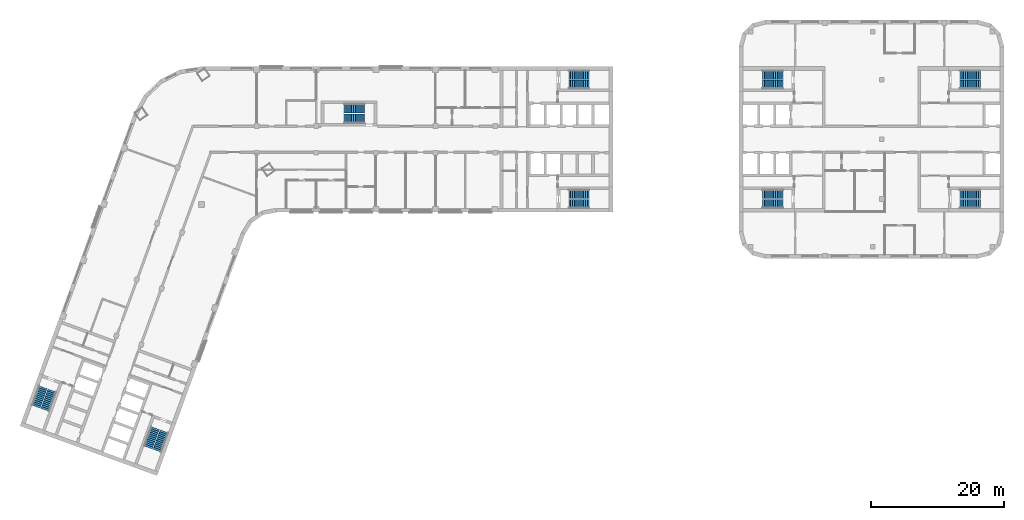
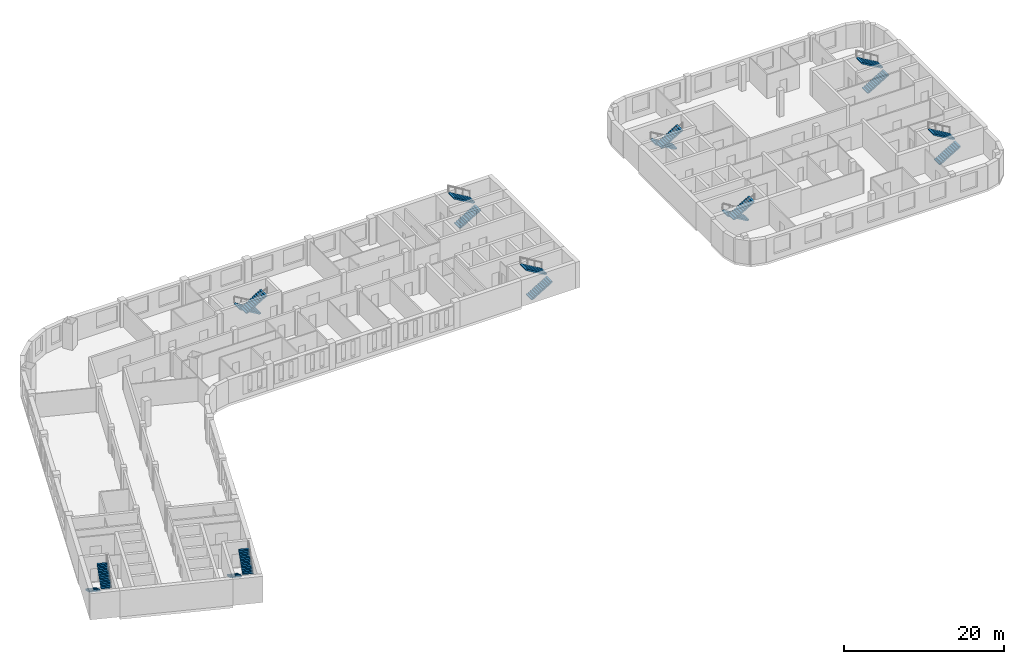
# One storey, part 10 of 12: 18 stair flights, 9 elements without a shape of their own.
"""IFC4 building model written with IfcOpenShell, lengths in metres."""

from ifc_helpers import new_model, si_unit, direction, frame, origin, place, context, subcontext, project, spatial, polyline, outline, extrude, material, type_object, element, aggregate, save


model = new_model("IFC4")

# Units and contexts
model_context = context("Model", 3, precision=1e-05, world=origin(), true_north=direction((0.0, 1.0)))
body_context = subcontext(model_context, "Body", "Model", "MODEL_VIEW")
ifc_project = project(units=[si_unit("LENGTHUNIT", "METRE"), si_unit("AREAUNIT", "SQUARE_METRE"), si_unit("VOLUMEUNIT", "CUBIC_METRE"), si_unit("PLANEANGLEUNIT", "RADIAN"), si_unit("MASSUNIT", "GRAM", prefix="KILO")], contexts=[model_context])

# Site, building, storey
site_placement = place(None, origin())
site = spatial("IfcSite", under=ifc_project, at=site_placement, CompositionType="ELEMENT")
building_placement = place(site_placement, origin())
building = spatial("IfcBuilding", under=site, at=building_placement, Name="Skarvind Civic Tower", CompositionType="ELEMENT")
storey_placement = place(building_placement, frame((0.0, 0.0, 71.5)))
storey = spatial("IfcBuildingStorey", under=building, at=storey_placement, Name="L16", CompositionType="ELEMENT", Elevation=71.5)

# Stair, stair flights
ifc_material = material(Name="Concrete C40/50", Category="concrete")
stair_type_1 = type_object("IfcStairType", Name="Exit stair 1450, half-turn, concrete", PredefinedType="HALF_TURN_STAIR", material=ifc_material)
stair_1_placement = place(storey_placement, origin())
stair_1 = element("IfcStair", 1, at=stair_1_placement, inside=storey, type_object=stair_type_1, Name="Exit stair CM", PredefinedType="HALF_TURN_STAIR")
stair_flight_type_1 = type_object("IfcStairFlightType", Name="Stair flight 1450, concrete", PredefinedType="STRAIGHT", material=ifc_material)
stair_flight_1_placement = place(storey_placement, frame((70.550048828125, 132.675048828125, 0.0), z_axis=(0.0, 0.0, 1.0), x_axis=(-1.0, 0.0, 0.0)))
stair_flight_1 = element("IfcStairFlight", 2, at=stair_flight_1_placement, type_object=stair_flight_type_1, Name="ST-CM flight 1", NumberOfRisers=12, NumberOfTreads=11, PredefinedType="STRAIGHT", RiserHeight=0.166666667, TreadLength=0.28, context=body_context, shape_type="SweptSolid", body=[
    extrude(outline(polyline([(0.0, 0.0), (0.0, 0.166748046875), (0.280029296875, 0.166748046875), (0.280029296875, 0.333251953125), (0.56005859375, 0.333251953125), (0.56005859375, 0.5), (0.840087890625, 0.5), (0.840087890625, 0.666748046875), (1.1201171875, 0.666748046875), (1.1201171875, 0.833251953125), (1.39990234375, 0.833251953125), (1.39990234375, 1.0), (1.679931640625, 1.0), (1.679931640625, 1.166748046875), (1.9599609375, 1.166748046875), (1.9599609375, 1.333251953125), (2.239990234375, 1.333251953125), (2.239990234375, 1.5), (2.52001953125, 1.5), (2.52001953125, 1.666748046875), (2.800048828125, 1.666748046875), (2.800048828125, 1.833251953125), (3.080078125, 1.833251953125), (3.080078125, 2.0), (3.080078125, 1.658935546875), (0.29296875, 0.0), (0.0, 0.0)])), frame((0.0, 0.72509765625, 0.0), z_axis=(0.0, -1.0, 0.0), x_axis=(1.0, 0.0, 0.0)), (0.0, 0.0, 1.0), 1.449951171875),
])
stair_flight_2_placement = place(storey_placement, frame((67.469970703125, 131.125, 2.0), z_axis=(0.0, 0.0, 1.0), x_axis=(1.0, 0.0, 0.0)))
stair_flight_2 = element("IfcStairFlight", 3, at=stair_flight_2_placement, type_object=stair_flight_type_1, Name="ST-CM flight 2", NumberOfRisers=12, NumberOfTreads=11, PredefinedType="STRAIGHT", RiserHeight=0.166666667, TreadLength=0.28, context=body_context, shape_type="SweptSolid", body=[
    extrude(outline(polyline([(0.0, 0.0), (0.0, 0.166748046875), (0.280029296875, 0.166748046875), (0.280029296875, 0.333251953125), (0.56005859375, 0.333251953125), (0.56005859375, 0.5), (0.840087890625, 0.5), (0.840087890625, 0.666748046875), (1.1201171875, 0.666748046875), (1.1201171875, 0.833251953125), (1.39990234375, 0.833251953125), (1.39990234375, 1.0), (1.679931640625, 1.0), (1.679931640625, 1.166748046875), (1.9599609375, 1.166748046875), (1.9599609375, 1.333251953125), (2.239990234375, 1.333251953125), (2.239990234375, 1.5), (2.52001953125, 1.5), (2.52001953125, 1.666748046875), (2.800048828125, 1.666748046875), (2.800048828125, 1.833251953125), (3.080078125, 1.833251953125), (3.080078125, 2.0), (3.080078125, 1.658935546875), (0.29296875, 0.0), (0.0, 0.0)])), frame((0.0, 0.72509765625, 0.0), z_axis=(0.0, -1.0, 0.0), x_axis=(1.0, 0.0, 0.0)), (0.0, 0.0, 1.0), 1.449951171875),
])
aggregate(stair_1, [stair_flight_1, stair_flight_2])

stair_type_2 = type_object("IfcStairType", Name="Exit stair, half-turn, concrete", PredefinedType="HALF_TURN_STAIR", material=ifc_material)
stair_2_placement = place(storey_placement, origin())
stair_2 = element("IfcStair", 4, at=stair_2_placement, inside=storey, type_object=stair_type_2, Name="Exit stair C1S", PredefinedType="HALF_TURN_STAIR")
stair_flight_type_2 = type_object("IfcStairFlightType", Name="Stair flight, concrete", PredefinedType="STRAIGHT", material=ifc_material)
stair_flight_3_placement = place(storey_placement, frame((101.35009765625, 136.27490234375, 0.0), z_axis=(0.0, 0.0, 1.0), x_axis=(1.0, 0.0, 0.0)))
stair_flight_3 = element("IfcStairFlight", 5, at=stair_flight_3_placement, type_object=stair_flight_type_2, Name="ST-C1S flight 1", NumberOfRisers=12, NumberOfTreads=11, PredefinedType="STRAIGHT", RiserHeight=0.166666667, TreadLength=0.28, context=body_context, shape_type="SweptSolid", body=[
    extrude(outline(polyline([(0.0, 0.0), (0.0, 0.166748046875), (0.280029296875, 0.166748046875), (0.280029296875, 0.333251953125), (0.56005859375, 0.333251953125), (0.56005859375, 0.5), (0.840087890625, 0.5), (0.840087890625, 0.666748046875), (1.1201171875, 0.666748046875), (1.1201171875, 0.833251953125), (1.39990234375, 0.833251953125), (1.39990234375, 1.0), (1.679931640625, 1.0), (1.679931640625, 1.166748046875), (1.9599609375, 1.166748046875), (1.9599609375, 1.333251953125), (2.239990234375, 1.333251953125), (2.239990234375, 1.5), (2.52001953125, 1.5), (2.52001953125, 1.666748046875), (2.800048828125, 1.666748046875), (2.800048828125, 1.833251953125), (3.080078125, 1.833251953125), (3.080078125, 2.0), (3.080078125, 1.658935546875), (0.29296875, 0.0), (0.0, 0.0)])), frame((0.0, 0.675048828125, 0.0), z_axis=(0.0, -1.0, 0.0), x_axis=(1.0, 0.0, 0.0)), (0.0, 0.0, 1.0), 1.35009765625),
])
stair_flight_4_placement = place(storey_placement, frame((104.429931640625, 137.72509765625, 2.0), z_axis=(0.0, 0.0, 1.0), x_axis=(-1.0, 0.0, 0.0)))
stair_flight_4 = element("IfcStairFlight", 6, at=stair_flight_4_placement, type_object=stair_flight_type_2, Name="ST-C1S flight 2", NumberOfRisers=12, NumberOfTreads=11, PredefinedType="STRAIGHT", RiserHeight=0.166666667, TreadLength=0.28, context=body_context, shape_type="SweptSolid", body=[
    extrude(outline(polyline([(0.0, 0.0), (0.0, 0.166748046875), (0.280029296875, 0.166748046875), (0.280029296875, 0.333251953125), (0.56005859375, 0.333251953125), (0.56005859375, 0.5), (0.840087890625, 0.5), (0.840087890625, 0.666748046875), (1.1201171875, 0.666748046875), (1.1201171875, 0.833251953125), (1.39990234375, 0.833251953125), (1.39990234375, 1.0), (1.679931640625, 1.0), (1.679931640625, 1.166748046875), (1.9599609375, 1.166748046875), (1.9599609375, 1.333251953125), (2.239990234375, 1.333251953125), (2.239990234375, 1.5), (2.52001953125, 1.5), (2.52001953125, 1.666748046875), (2.800048828125, 1.666748046875), (2.800048828125, 1.833251953125), (3.080078125, 1.833251953125), (3.080078125, 2.0), (3.080078125, 1.658935546875), (0.29296875, 0.0), (0.0, 0.0)])), frame((0.0, 0.675048828125, 0.0), z_axis=(0.0, -1.0, 0.0), x_axis=(1.0, 0.0, 0.0)), (0.0, 0.0, 1.0), 1.35009765625),
])
aggregate(stair_2, [stair_flight_3, stair_flight_4])

stair_3_placement = place(storey_placement, origin())
stair_3 = element("IfcStair", 7, at=stair_3_placement, inside=storey, type_object=stair_type_2, Name="Exit stair C1N", PredefinedType="HALF_TURN_STAIR")
stair_flight_5_placement = place(storey_placement, frame((101.35009765625, 118.27490234375, 0.0), z_axis=(0.0, 0.0, 1.0), x_axis=(1.0, 0.0, 0.0)))
stair_flight_5 = element("IfcStairFlight", 8, at=stair_flight_5_placement, type_object=stair_flight_type_2, Name="ST-C1N flight 1", NumberOfRisers=12, NumberOfTreads=11, PredefinedType="STRAIGHT", RiserHeight=0.166666667, TreadLength=0.28, context=body_context, shape_type="SweptSolid", body=[
    extrude(outline(polyline([(0.0, 0.0), (0.0, 0.166748046875), (0.280029296875, 0.166748046875), (0.280029296875, 0.333251953125), (0.56005859375, 0.333251953125), (0.56005859375, 0.5), (0.840087890625, 0.5), (0.840087890625, 0.666748046875), (1.1201171875, 0.666748046875), (1.1201171875, 0.833251953125), (1.39990234375, 0.833251953125), (1.39990234375, 1.0), (1.679931640625, 1.0), (1.679931640625, 1.166748046875), (1.9599609375, 1.166748046875), (1.9599609375, 1.333251953125), (2.239990234375, 1.333251953125), (2.239990234375, 1.5), (2.52001953125, 1.5), (2.52001953125, 1.666748046875), (2.800048828125, 1.666748046875), (2.800048828125, 1.833251953125), (3.080078125, 1.833251953125), (3.080078125, 2.0), (3.080078125, 1.658935546875), (0.29296875, 0.0), (0.0, 0.0)])), frame((0.0, 0.675048828125, 0.0), z_axis=(0.0, -1.0, 0.0), x_axis=(1.0, 0.0, 0.0)), (0.0, 0.0, 1.0), 1.35009765625),
])
stair_flight_6_placement = place(storey_placement, frame((104.429931640625, 119.72509765625, 2.0), z_axis=(0.0, 0.0, 1.0), x_axis=(-1.0, 0.0, 0.0)))
stair_flight_6 = element("IfcStairFlight", 9, at=stair_flight_6_placement, type_object=stair_flight_type_2, Name="ST-C1N flight 2", NumberOfRisers=12, NumberOfTreads=11, PredefinedType="STRAIGHT", RiserHeight=0.166666667, TreadLength=0.28, context=body_context, shape_type="SweptSolid", body=[
    extrude(outline(polyline([(0.0, 0.0), (0.0, 0.166748046875), (0.280029296875, 0.166748046875), (0.280029296875, 0.333251953125), (0.56005859375, 0.333251953125), (0.56005859375, 0.5), (0.840087890625, 0.5), (0.840087890625, 0.666748046875), (1.1201171875, 0.666748046875), (1.1201171875, 0.833251953125), (1.39990234375, 0.833251953125), (1.39990234375, 1.0), (1.679931640625, 1.0), (1.679931640625, 1.166748046875), (1.9599609375, 1.166748046875), (1.9599609375, 1.333251953125), (2.239990234375, 1.333251953125), (2.239990234375, 1.5), (2.52001953125, 1.5), (2.52001953125, 1.666748046875), (2.800048828125, 1.666748046875), (2.800048828125, 1.833251953125), (3.080078125, 1.833251953125), (3.080078125, 2.0), (3.080078125, 1.658935546875), (0.29296875, 0.0), (0.0, 0.0)])), frame((0.0, 0.675048828125, 0.0), z_axis=(0.0, -1.0, 0.0), x_axis=(1.0, 0.0, 0.0)), (0.0, 0.0, 1.0), 1.35009765625),
])
aggregate(stair_3, [stair_flight_5, stair_flight_6])

stair_4_placement = place(storey_placement, origin())
stair_4 = element("IfcStair", 10, at=stair_4_placement, inside=storey, type_object=stair_type_2, Name="Exit stair C2S", PredefinedType="HALF_TURN_STAIR")
stair_flight_7_placement = place(storey_placement, frame((38.949462890625, 84.43408203125, 0.0), z_axis=(0.0, 0.0, 1.0), x_axis=(-0.342020143326, -0.939692620786, 0.0)))
stair_flight_7 = element("IfcStairFlight", 11, at=stair_flight_7_placement, type_object=stair_flight_type_2, Name="ST-C2S flight 1", NumberOfRisers=12, NumberOfTreads=11, PredefinedType="STRAIGHT", RiserHeight=0.166666667, TreadLength=0.28, context=body_context, shape_type="SweptSolid", body=[
    extrude(outline(polyline([(0.0, 0.0), (0.0, 0.166748046875), (0.280029296875, 0.166748046875), (0.280029296875, 0.333251953125), (0.56005859375, 0.333251953125), (0.56005859375, 0.5), (0.840087890625, 0.5), (0.840087890625, 0.666748046875), (1.1201171875, 0.666748046875), (1.1201171875, 0.833251953125), (1.39990234375, 0.833251953125), (1.39990234375, 1.0), (1.679931640625, 1.0), (1.679931640625, 1.166748046875), (1.9599609375, 1.166748046875), (1.9599609375, 1.333251953125), (2.239990234375, 1.333251953125), (2.239990234375, 1.5), (2.52001953125, 1.5), (2.52001953125, 1.666748046875), (2.800048828125, 1.666748046875), (2.800048828125, 1.833251953125), (3.080078125, 1.833251953125), (3.080078125, 2.0), (3.080078125, 1.658935546875), (0.29296875, 0.0), (0.0, 0.0)])), frame((0.0, 0.675048828125, 0.0), z_axis=(0.0, -1.0, 0.0), x_axis=(1.0, 0.0, 0.0)), (0.0, 0.0, 1.0), 1.35009765625),
])
stair_flight_8_placement = place(storey_placement, frame((39.258544921875, 81.0439453125, 2.0), z_axis=(0.0, 0.0, 1.0), x_axis=(0.342020143326, 0.939692620786, 0.0)))
stair_flight_8 = element("IfcStairFlight", 12, at=stair_flight_8_placement, type_object=stair_flight_type_2, Name="ST-C2S flight 2", NumberOfRisers=12, NumberOfTreads=11, PredefinedType="STRAIGHT", RiserHeight=0.166666667, TreadLength=0.28, context=body_context, shape_type="SweptSolid", body=[
    extrude(outline(polyline([(0.0, 0.0), (0.0, 0.166748046875), (0.280029296875, 0.166748046875), (0.280029296875, 0.333251953125), (0.56005859375, 0.333251953125), (0.56005859375, 0.5), (0.840087890625, 0.5), (0.840087890625, 0.666748046875), (1.1201171875, 0.666748046875), (1.1201171875, 0.833251953125), (1.39990234375, 0.833251953125), (1.39990234375, 1.0), (1.679931640625, 1.0), (1.679931640625, 1.166748046875), (1.9599609375, 1.166748046875), (1.9599609375, 1.333251953125), (2.239990234375, 1.333251953125), (2.239990234375, 1.5), (2.52001953125, 1.5), (2.52001953125, 1.666748046875), (2.800048828125, 1.666748046875), (2.800048828125, 1.833251953125), (3.080078125, 1.833251953125), (3.080078125, 2.0), (3.080078125, 1.658935546875), (0.29296875, 0.0), (0.0, 0.0)])), frame((0.0, 0.675048828125, 0.0), z_axis=(0.0, -1.0, 0.0), x_axis=(1.0, 0.0, 0.0)), (0.0, 0.0, 1.0), 1.35009765625),
])
aggregate(stair_4, [stair_flight_7, stair_flight_8])

stair_5_placement = place(storey_placement, origin())
stair_5 = element("IfcStair", 13, at=stair_5_placement, inside=storey, type_object=stair_type_2, Name="Exit stair C2N", PredefinedType="HALF_TURN_STAIR")
stair_flight_9_placement = place(storey_placement, frame((22.034912109375, 90.590576171875, 0.0), z_axis=(0.0, 0.0, 1.0), x_axis=(-0.342020143326, -0.939692620786, 0.0)))
stair_flight_9 = element("IfcStairFlight", 14, at=stair_flight_9_placement, type_object=stair_flight_type_2, Name="ST-C2N flight 1", NumberOfRisers=12, NumberOfTreads=11, PredefinedType="STRAIGHT", RiserHeight=0.166666667, TreadLength=0.28, context=body_context, shape_type="SweptSolid", body=[
    extrude(outline(polyline([(0.0, 0.0), (0.0, 0.166748046875), (0.280029296875, 0.166748046875), (0.280029296875, 0.333251953125), (0.56005859375, 0.333251953125), (0.56005859375, 0.5), (0.840087890625, 0.5), (0.840087890625, 0.666748046875), (1.1201171875, 0.666748046875), (1.1201171875, 0.833251953125), (1.39990234375, 0.833251953125), (1.39990234375, 1.0), (1.679931640625, 1.0), (1.679931640625, 1.166748046875), (1.9599609375, 1.166748046875), (1.9599609375, 1.333251953125), (2.239990234375, 1.333251953125), (2.239990234375, 1.5), (2.52001953125, 1.5), (2.52001953125, 1.666748046875), (2.800048828125, 1.666748046875), (2.800048828125, 1.833251953125), (3.080078125, 1.833251953125), (3.080078125, 2.0), (3.080078125, 1.658935546875), (0.29296875, 0.0), (0.0, 0.0)])), frame((0.0, 0.675048828125, 0.0), z_axis=(0.0, -1.0, 0.0), x_axis=(1.0, 0.0, 0.0)), (0.0, 0.0, 1.0), 1.35009765625),
])
stair_flight_10_placement = place(storey_placement, frame((22.343994140625, 87.2001953125, 2.0), z_axis=(0.0, 0.0, 1.0), x_axis=(0.342020143326, 0.939692620786, 0.0)))
stair_flight_10 = element("IfcStairFlight", 15, at=stair_flight_10_placement, type_object=stair_flight_type_2, Name="ST-C2N flight 2", NumberOfRisers=12, NumberOfTreads=11, PredefinedType="STRAIGHT", RiserHeight=0.166666667, TreadLength=0.28, context=body_context, shape_type="SweptSolid", body=[
    extrude(outline(polyline([(0.0, 0.0), (0.0, 0.166748046875), (0.280029296875, 0.166748046875), (0.280029296875, 0.333251953125), (0.56005859375, 0.333251953125), (0.56005859375, 0.5), (0.840087890625, 0.5), (0.840087890625, 0.666748046875), (1.1201171875, 0.666748046875), (1.1201171875, 0.833251953125), (1.39990234375, 0.833251953125), (1.39990234375, 1.0), (1.679931640625, 1.0), (1.679931640625, 1.166748046875), (1.9599609375, 1.166748046875), (1.9599609375, 1.333251953125), (2.239990234375, 1.333251953125), (2.239990234375, 1.5), (2.52001953125, 1.5), (2.52001953125, 1.666748046875), (2.800048828125, 1.666748046875), (2.800048828125, 1.833251953125), (3.080078125, 1.833251953125), (3.080078125, 2.0), (3.080078125, 1.658935546875), (0.29296875, 0.0), (0.0, 0.0)])), frame((0.0, 0.675048828125, 0.0), z_axis=(0.0, -1.0, 0.0), x_axis=(1.0, 0.0, 0.0)), (0.0, 0.0, 1.0), 1.35009765625),
])
aggregate(stair_5, [stair_flight_9, stair_flight_10])

stair_6_placement = place(storey_placement, origin())
stair_6 = element("IfcStair", 16, at=stair_6_placement, inside=storey, type_object=stair_type_2, Name="Exit stair CAS", PredefinedType="HALF_TURN_STAIR")
stair_flight_11_placement = place(storey_placement, frame((133.64990234375, 119.72509765625, 0.0), z_axis=(0.0, 0.0, 1.0), x_axis=(-1.0, 0.0, 0.0)))
stair_flight_11 = element("IfcStairFlight", 17, at=stair_flight_11_placement, type_object=stair_flight_type_2, Name="ST-CAS flight 1", NumberOfRisers=12, NumberOfTreads=11, PredefinedType="STRAIGHT", RiserHeight=0.166666667, TreadLength=0.28, context=body_context, shape_type="SweptSolid", body=[
    extrude(outline(polyline([(0.0, 0.0), (0.0, 0.166748046875), (0.280029296875, 0.166748046875), (0.280029296875, 0.333251953125), (0.56005859375, 0.333251953125), (0.56005859375, 0.5), (0.840087890625, 0.5), (0.840087890625, 0.666748046875), (1.1201171875, 0.666748046875), (1.1201171875, 0.833251953125), (1.39990234375, 0.833251953125), (1.39990234375, 1.0), (1.679931640625, 1.0), (1.679931640625, 1.166748046875), (1.9599609375, 1.166748046875), (1.9599609375, 1.333251953125), (2.239990234375, 1.333251953125), (2.239990234375, 1.5), (2.52001953125, 1.5), (2.52001953125, 1.666748046875), (2.800048828125, 1.666748046875), (2.800048828125, 1.833251953125), (3.080078125, 1.833251953125), (3.080078125, 2.0), (3.080078125, 1.658935546875), (0.29296875, 0.0), (0.0, 0.0)])), frame((0.0, 0.675048828125, 0.0), z_axis=(0.0, -1.0, 0.0), x_axis=(1.0, 0.0, 0.0)), (0.0, 0.0, 1.0), 1.35009765625),
])
stair_flight_12_placement = place(storey_placement, frame((130.570068359375, 118.27490234375, 2.0), z_axis=(0.0, 0.0, 1.0), x_axis=(1.0, 0.0, 0.0)))
stair_flight_12 = element("IfcStairFlight", 18, at=stair_flight_12_placement, type_object=stair_flight_type_2, Name="ST-CAS flight 2", NumberOfRisers=12, NumberOfTreads=11, PredefinedType="STRAIGHT", RiserHeight=0.166666667, TreadLength=0.28, context=body_context, shape_type="SweptSolid", body=[
    extrude(outline(polyline([(0.0, 0.0), (0.0, 0.166748046875), (0.280029296875, 0.166748046875), (0.280029296875, 0.333251953125), (0.56005859375, 0.333251953125), (0.56005859375, 0.5), (0.840087890625, 0.5), (0.840087890625, 0.666748046875), (1.1201171875, 0.666748046875), (1.1201171875, 0.833251953125), (1.39990234375, 0.833251953125), (1.39990234375, 1.0), (1.679931640625, 1.0), (1.679931640625, 1.166748046875), (1.9599609375, 1.166748046875), (1.9599609375, 1.333251953125), (2.239990234375, 1.333251953125), (2.239990234375, 1.5), (2.52001953125, 1.5), (2.52001953125, 1.666748046875), (2.800048828125, 1.666748046875), (2.800048828125, 1.833251953125), (3.080078125, 1.833251953125), (3.080078125, 2.0), (3.080078125, 1.658935546875), (0.29296875, 0.0), (0.0, 0.0)])), frame((0.0, 0.675048828125, 0.0), z_axis=(0.0, -1.0, 0.0), x_axis=(1.0, 0.0, 0.0)), (0.0, 0.0, 1.0), 1.35009765625),
])
aggregate(stair_6, [stair_flight_11, stair_flight_12])

stair_7_placement = place(storey_placement, origin())
stair_7 = element("IfcStair", 19, at=stair_7_placement, inside=storey, type_object=stair_type_2, Name="Exit stair CAN", PredefinedType="HALF_TURN_STAIR")
stair_flight_13_placement = place(storey_placement, frame((133.64990234375, 137.72509765625, 0.0), z_axis=(0.0, 0.0, 1.0), x_axis=(-1.0, 0.0, 0.0)))
stair_flight_13 = element("IfcStairFlight", 20, at=stair_flight_13_placement, type_object=stair_flight_type_2, Name="ST-CAN flight 1", NumberOfRisers=12, NumberOfTreads=11, PredefinedType="STRAIGHT", RiserHeight=0.166666667, TreadLength=0.28, context=body_context, shape_type="SweptSolid", body=[
    extrude(outline(polyline([(0.0, 0.0), (0.0, 0.166748046875), (0.280029296875, 0.166748046875), (0.280029296875, 0.333251953125), (0.56005859375, 0.333251953125), (0.56005859375, 0.5), (0.840087890625, 0.5), (0.840087890625, 0.666748046875), (1.1201171875, 0.666748046875), (1.1201171875, 0.833251953125), (1.39990234375, 0.833251953125), (1.39990234375, 1.0), (1.679931640625, 1.0), (1.679931640625, 1.166748046875), (1.9599609375, 1.166748046875), (1.9599609375, 1.333251953125), (2.239990234375, 1.333251953125), (2.239990234375, 1.5), (2.52001953125, 1.5), (2.52001953125, 1.666748046875), (2.800048828125, 1.666748046875), (2.800048828125, 1.833251953125), (3.080078125, 1.833251953125), (3.080078125, 2.0), (3.080078125, 1.658935546875), (0.29296875, 0.0), (0.0, 0.0)])), frame((0.0, 0.675048828125, 0.0), z_axis=(0.0, -1.0, 0.0), x_axis=(1.0, 0.0, 0.0)), (0.0, 0.0, 1.0), 1.35009765625),
])
stair_flight_14_placement = place(storey_placement, frame((130.570068359375, 136.27490234375, 2.0), z_axis=(0.0, 0.0, 1.0), x_axis=(1.0, 0.0, 0.0)))
stair_flight_14 = element("IfcStairFlight", 21, at=stair_flight_14_placement, type_object=stair_flight_type_2, Name="ST-CAN flight 2", NumberOfRisers=12, NumberOfTreads=11, PredefinedType="STRAIGHT", RiserHeight=0.166666667, TreadLength=0.28, context=body_context, shape_type="SweptSolid", body=[
    extrude(outline(polyline([(0.0, 0.0), (0.0, 0.166748046875), (0.280029296875, 0.166748046875), (0.280029296875, 0.333251953125), (0.56005859375, 0.333251953125), (0.56005859375, 0.5), (0.840087890625, 0.5), (0.840087890625, 0.666748046875), (1.1201171875, 0.666748046875), (1.1201171875, 0.833251953125), (1.39990234375, 0.833251953125), (1.39990234375, 1.0), (1.679931640625, 1.0), (1.679931640625, 1.166748046875), (1.9599609375, 1.166748046875), (1.9599609375, 1.333251953125), (2.239990234375, 1.333251953125), (2.239990234375, 1.5), (2.52001953125, 1.5), (2.52001953125, 1.666748046875), (2.800048828125, 1.666748046875), (2.800048828125, 1.833251953125), (3.080078125, 1.833251953125), (3.080078125, 2.0), (3.080078125, 1.658935546875), (0.29296875, 0.0), (0.0, 0.0)])), frame((0.0, 0.675048828125, 0.0), z_axis=(0.0, -1.0, 0.0), x_axis=(1.0, 0.0, 0.0)), (0.0, 0.0, 1.0), 1.35009765625),
])
aggregate(stair_7, [stair_flight_13, stair_flight_14])

stair_8_placement = place(storey_placement, origin())
stair_8 = element("IfcStair", 22, at=stair_8_placement, inside=storey, type_object=stair_type_2, Name="Exit stair CBS", PredefinedType="HALF_TURN_STAIR")
stair_flight_15_placement = place(storey_placement, frame((160.35009765625, 136.27490234375, 0.0), z_axis=(0.0, 0.0, 1.0), x_axis=(1.0, 0.0, 0.0)))
stair_flight_15 = element("IfcStairFlight", 23, at=stair_flight_15_placement, type_object=stair_flight_type_2, Name="ST-CBS flight 1", NumberOfRisers=12, NumberOfTreads=11, PredefinedType="STRAIGHT", RiserHeight=0.166666667, TreadLength=0.28, context=body_context, shape_type="SweptSolid", body=[
    extrude(outline(polyline([(0.0, 0.0), (0.0, 0.166748046875), (0.280029296875, 0.166748046875), (0.280029296875, 0.333251953125), (0.56005859375, 0.333251953125), (0.56005859375, 0.5), (0.840087890625, 0.5), (0.840087890625, 0.666748046875), (1.1201171875, 0.666748046875), (1.1201171875, 0.833251953125), (1.39990234375, 0.833251953125), (1.39990234375, 1.0), (1.679931640625, 1.0), (1.679931640625, 1.166748046875), (1.9599609375, 1.166748046875), (1.9599609375, 1.333251953125), (2.239990234375, 1.333251953125), (2.239990234375, 1.5), (2.52001953125, 1.5), (2.52001953125, 1.666748046875), (2.800048828125, 1.666748046875), (2.800048828125, 1.833251953125), (3.080078125, 1.833251953125), (3.080078125, 2.0), (3.080078125, 1.658935546875), (0.29296875, 0.0), (0.0, 0.0)])), frame((0.0, 0.675048828125, 0.0), z_axis=(0.0, -1.0, 0.0), x_axis=(1.0, 0.0, 0.0)), (0.0, 0.0, 1.0), 1.35009765625),
])
stair_flight_16_placement = place(storey_placement, frame((163.429931640625, 137.72509765625, 2.0), z_axis=(0.0, 0.0, 1.0), x_axis=(-1.0, 0.0, 0.0)))
stair_flight_16 = element("IfcStairFlight", 24, at=stair_flight_16_placement, type_object=stair_flight_type_2, Name="ST-CBS flight 2", NumberOfRisers=12, NumberOfTreads=11, PredefinedType="STRAIGHT", RiserHeight=0.166666667, TreadLength=0.28, context=body_context, shape_type="SweptSolid", body=[
    extrude(outline(polyline([(0.0, 0.0), (0.0, 0.166748046875), (0.280029296875, 0.166748046875), (0.280029296875, 0.333251953125), (0.56005859375, 0.333251953125), (0.56005859375, 0.5), (0.840087890625, 0.5), (0.840087890625, 0.666748046875), (1.1201171875, 0.666748046875), (1.1201171875, 0.833251953125), (1.39990234375, 0.833251953125), (1.39990234375, 1.0), (1.679931640625, 1.0), (1.679931640625, 1.166748046875), (1.9599609375, 1.166748046875), (1.9599609375, 1.333251953125), (2.239990234375, 1.333251953125), (2.239990234375, 1.5), (2.52001953125, 1.5), (2.52001953125, 1.666748046875), (2.800048828125, 1.666748046875), (2.800048828125, 1.833251953125), (3.080078125, 1.833251953125), (3.080078125, 2.0), (3.080078125, 1.658935546875), (0.29296875, 0.0), (0.0, 0.0)])), frame((0.0, 0.675048828125, 0.0), z_axis=(0.0, -1.0, 0.0), x_axis=(1.0, 0.0, 0.0)), (0.0, 0.0, 1.0), 1.35009765625),
])
aggregate(stair_8, [stair_flight_15, stair_flight_16])

stair_9_placement = place(storey_placement, origin())
stair_9 = element("IfcStair", 25, at=stair_9_placement, inside=storey, type_object=stair_type_2, Name="Exit stair CBN", PredefinedType="HALF_TURN_STAIR")
stair_flight_17_placement = place(storey_placement, frame((160.35009765625, 118.27490234375, 0.0), z_axis=(0.0, 0.0, 1.0), x_axis=(1.0, 0.0, 0.0)))
stair_flight_17 = element("IfcStairFlight", 26, at=stair_flight_17_placement, type_object=stair_flight_type_2, Name="ST-CBN flight 1", NumberOfRisers=12, NumberOfTreads=11, PredefinedType="STRAIGHT", RiserHeight=0.166666667, TreadLength=0.28, context=body_context, shape_type="SweptSolid", body=[
    extrude(outline(polyline([(0.0, 0.0), (0.0, 0.166748046875), (0.280029296875, 0.166748046875), (0.280029296875, 0.333251953125), (0.56005859375, 0.333251953125), (0.56005859375, 0.5), (0.840087890625, 0.5), (0.840087890625, 0.666748046875), (1.1201171875, 0.666748046875), (1.1201171875, 0.833251953125), (1.39990234375, 0.833251953125), (1.39990234375, 1.0), (1.679931640625, 1.0), (1.679931640625, 1.166748046875), (1.9599609375, 1.166748046875), (1.9599609375, 1.333251953125), (2.239990234375, 1.333251953125), (2.239990234375, 1.5), (2.52001953125, 1.5), (2.52001953125, 1.666748046875), (2.800048828125, 1.666748046875), (2.800048828125, 1.833251953125), (3.080078125, 1.833251953125), (3.080078125, 2.0), (3.080078125, 1.658935546875), (0.29296875, 0.0), (0.0, 0.0)])), frame((0.0, 0.675048828125, 0.0), z_axis=(0.0, -1.0, 0.0), x_axis=(1.0, 0.0, 0.0)), (0.0, 0.0, 1.0), 1.35009765625),
])
stair_flight_18_placement = place(storey_placement, frame((163.429931640625, 119.72509765625, 2.0), z_axis=(0.0, 0.0, 1.0), x_axis=(-1.0, 0.0, 0.0)))
stair_flight_18 = element("IfcStairFlight", 27, at=stair_flight_18_placement, type_object=stair_flight_type_2, Name="ST-CBN flight 2", NumberOfRisers=12, NumberOfTreads=11, PredefinedType="STRAIGHT", RiserHeight=0.166666667, TreadLength=0.28, context=body_context, shape_type="SweptSolid", body=[
    extrude(outline(polyline([(0.0, 0.0), (0.0, 0.166748046875), (0.280029296875, 0.166748046875), (0.280029296875, 0.333251953125), (0.56005859375, 0.333251953125), (0.56005859375, 0.5), (0.840087890625, 0.5), (0.840087890625, 0.666748046875), (1.1201171875, 0.666748046875), (1.1201171875, 0.833251953125), (1.39990234375, 0.833251953125), (1.39990234375, 1.0), (1.679931640625, 1.0), (1.679931640625, 1.166748046875), (1.9599609375, 1.166748046875), (1.9599609375, 1.333251953125), (2.239990234375, 1.333251953125), (2.239990234375, 1.5), (2.52001953125, 1.5), (2.52001953125, 1.666748046875), (2.800048828125, 1.666748046875), (2.800048828125, 1.833251953125), (3.080078125, 1.833251953125), (3.080078125, 2.0), (3.080078125, 1.658935546875), (0.29296875, 0.0), (0.0, 0.0)])), frame((0.0, 0.675048828125, 0.0), z_axis=(0.0, -1.0, 0.0), x_axis=(1.0, 0.0, 0.0)), (0.0, 0.0, 1.0), 1.35009765625),
])
aggregate(stair_9, [stair_flight_17, stair_flight_18])

save(model, "model.ifc")
